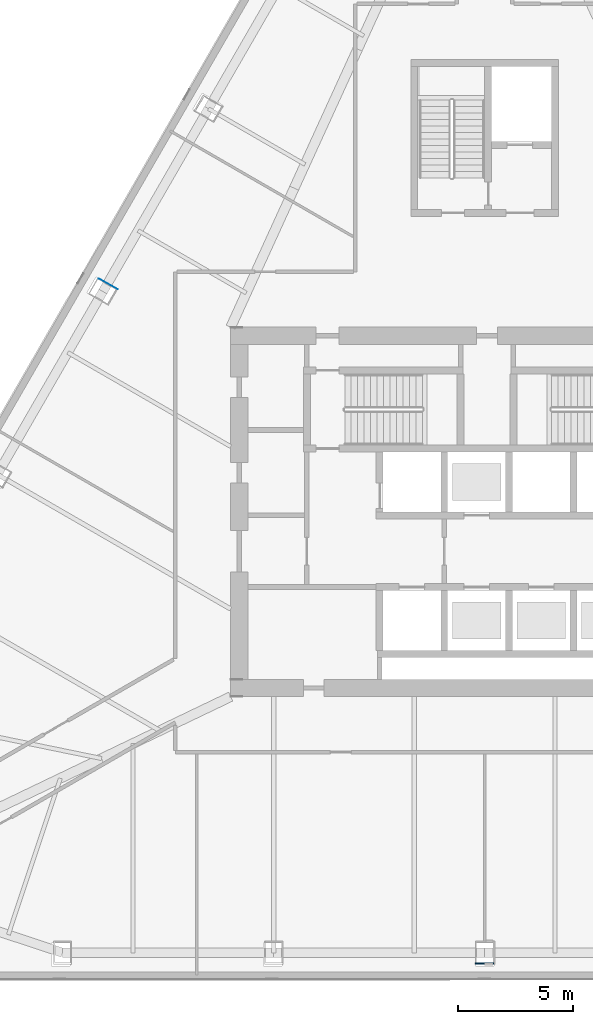
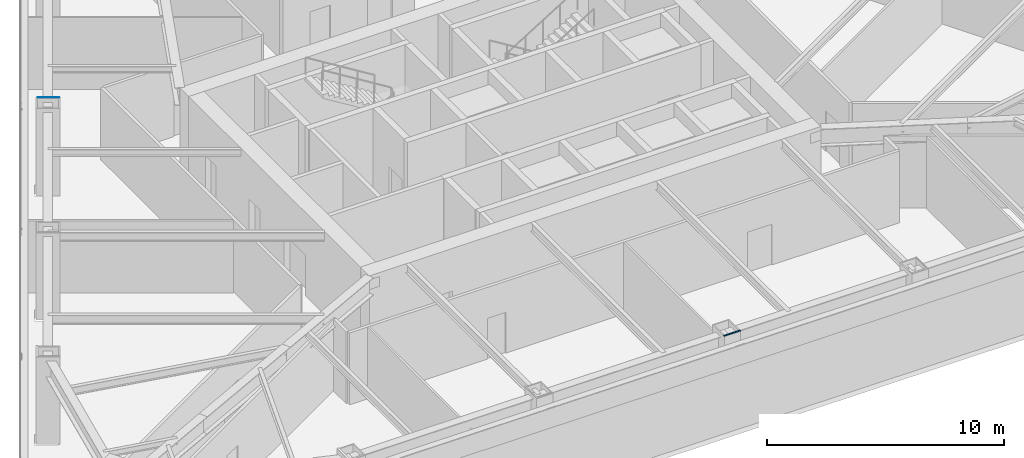
# One storey, part 3 of 14: 2 plates.
"""IFC4 building model written with IfcOpenShell, lengths in metres."""

from ifc_helpers import new_model, si_unit, direction, frame, origin, place, context, subcontext, project, spatial, polyline, outline, extrude, material, layer, layer_set, type_object, element, save


model = new_model("IFC4")

# Units and contexts
model_context = context("Model", 3, precision=1e-05, world=origin(), true_north=direction((0.0, 1.0)))
body_context = subcontext(model_context, "Body", "Model", "MODEL_VIEW")
ifc_project = project(units=[si_unit("LENGTHUNIT", "METRE"), si_unit("AREAUNIT", "SQUARE_METRE"), si_unit("VOLUMEUNIT", "CUBIC_METRE"), si_unit("PLANEANGLEUNIT", "RADIAN"), si_unit("MASSUNIT", "GRAM", prefix="KILO")], contexts=[model_context])

# Site, building, storey
site_placement = place(None, origin())
site = spatial("IfcSite", under=ifc_project, at=site_placement, CompositionType="ELEMENT")
building_placement = place(site_placement, origin())
building = spatial("IfcBuilding", under=site, at=building_placement, Name="Firuza Gate Tower and Library", CompositionType="ELEMENT")
storey_placement = place(building_placement, frame((0.0, 0.0, 151.300048828125)))
storey = spatial("IfcBuildingStorey", under=building, at=storey_placement, Name="L34", CompositionType="ELEMENT", Elevation=151.300048828125)

# Plates
ifc_material = material(Name="Steel S355", Category="steel")
ifc_layer = layer(ifc_material, 0.030029296875)
ifc_layer_set = layer_set([ifc_layer], Name="Column infill plate 30 Steel S355")
plate_type = type_object("IfcPlateType", Name="Column infill plate 30 Steel S355", PredefinedType="SHEET", material=ifc_layer_set)
placement = place(storey_placement, frame((0.0, 0.0, 4.5)))
element("IfcPlate", 1, at=placement, inside=storey, type_object=plate_type, Name="Infill plate L34:S3", PredefinedType="SHEET", context=body_context, shape_type="SweptSolid", body=[
    extrude(outline(polyline([(75.39990234375, 55.4091796875), (75.39990234375, 55.4814453125), (74.60009765625, 55.4814453125), (74.60009765625, 55.4091796875), (75.39990234375, 55.4091796875)])), origin(), (0.0, 0.0, 1.0), 0.030029296875),
])
element("IfcPlate", 2, at=placement, inside=storey, type_object=plate_type, Name="Infill plate L34:W3", PredefinedType="SHEET", context=body_context, shape_type="SweptSolid", body=[
    extrude(outline(polyline([(57.833984375, 84.448974609375), (57.896484375, 84.412841796875), (58.29638671875, 85.105712890625), (59.099853515625, 84.641845703125), (59.099853515625, 84.641845703125), (58.23388671875, 85.141845703125), (57.833984375, 84.448974609375)])), origin(), (0.0, 0.0, 1.0), 0.030029296875),
])

save(model, "model.ifc")
